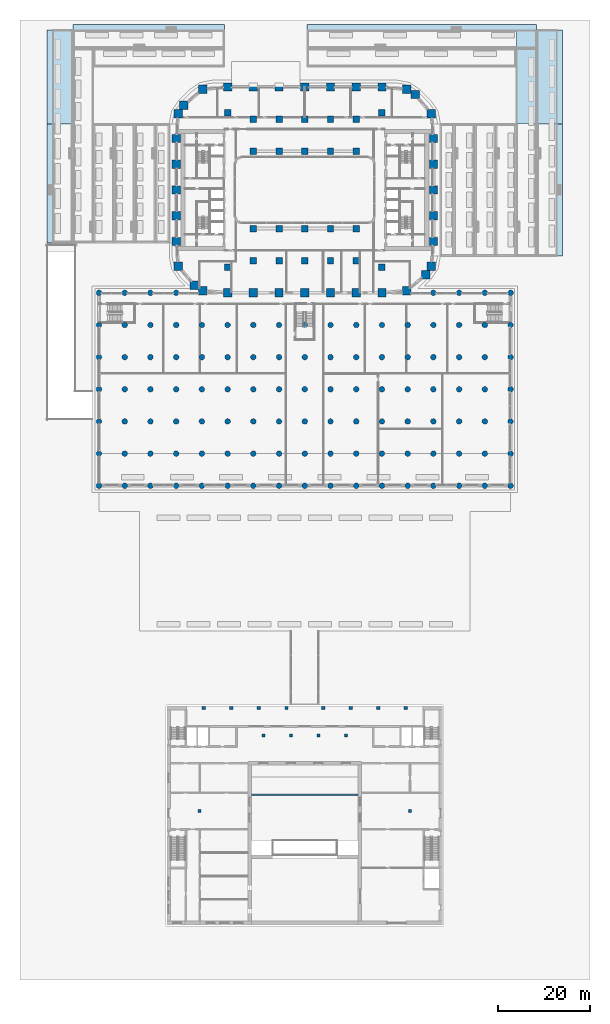
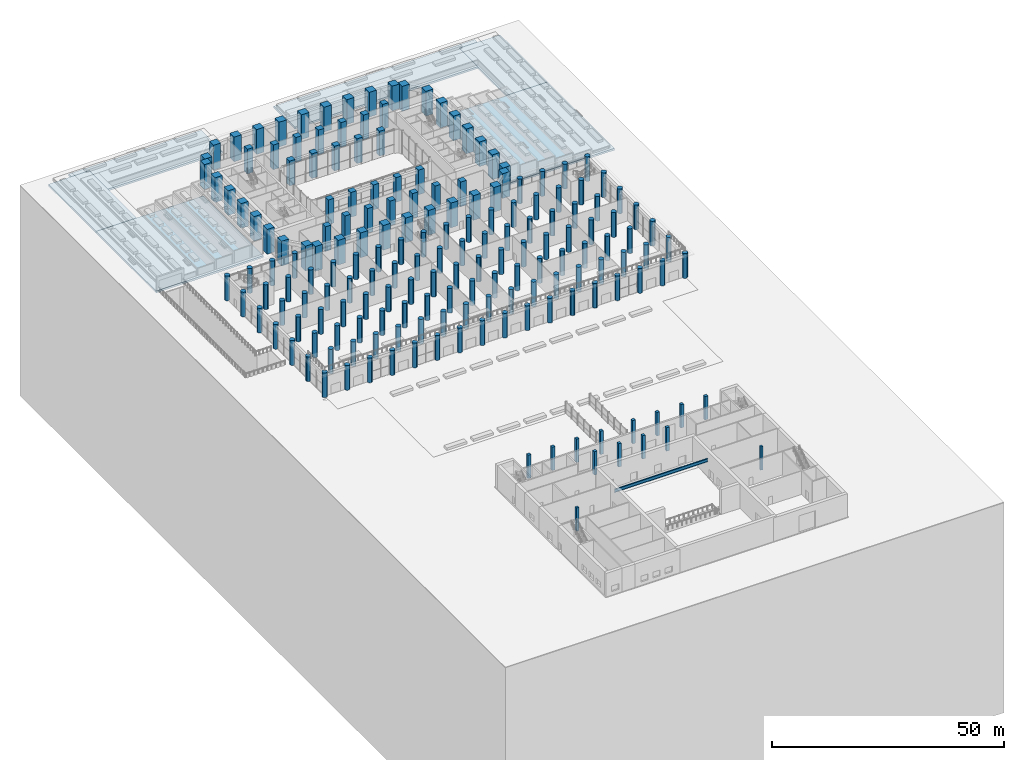
# One storey, part 1 of 51: 184 columns, 6 footings, 1 beam.
"""IFC4 building model written with IfcOpenShell, lengths in metres."""

from ifc_helpers import new_model, si_unit, direction, frame, origin, origin_2d, place, context, subcontext, project, spatial, rectangle, circle, i_section, extrude, material, material_profile, profile_set, type_object, element, save


model = new_model("IFC4")

# Units and contexts
model_context = context("Model", 3, precision=1e-05, world=origin(), true_north=direction((0.0, 1.0)))
body_context = subcontext(model_context, "Body", "Model", "MODEL_VIEW")
ifc_project = project(units=[si_unit("LENGTHUNIT", "METRE"), si_unit("AREAUNIT", "SQUARE_METRE"), si_unit("VOLUMEUNIT", "CUBIC_METRE"), si_unit("PLANEANGLEUNIT", "RADIAN"), si_unit("MASSUNIT", "GRAM", prefix="KILO")], contexts=[model_context])

# Site, building, storey
site_placement = place(None, origin())
site = spatial("IfcSite", under=ifc_project, at=site_placement, CompositionType="ELEMENT")
building_placement = place(site_placement, origin())
building = spatial("IfcBuilding", under=site, at=building_placement, Name="Kiln Ring Residences", CompositionType="ELEMENT")
storey_placement = place(building_placement, origin())
storey = spatial("IfcBuildingStorey", under=building, at=storey_placement, Name="L00", CompositionType="ELEMENT", Elevation=0.0)

# Footings
ifc_material_1 = material(Name="Concrete C30/37", Category="concrete")
footing_type = type_object("IfcFootingType", Name="TERRACE STRIP RAFT 500", PredefinedType="STRIP_FOOTING", material=ifc_material_1)
footing_1_placement = place(storey_placement, frame((42.794921875, 0.0, -1.0), z_axis=(0.0, 0.0, 1.0), x_axis=(1.0, 0.0, 0.0)))
element("IfcFooting", 1, at=footing_1_placement, inside=storey, type_object=footing_type, Name="Terrace raft E", PredefinedType="STRIP_FOOTING", context=body_context, shape_type="SweptSolid", body=[
    extrude(rectangle(XDim=26.68994140625, YDim=28.800048828125, at=origin_2d()), origin(), (0.0, 0.0, 1.0), 0.5),
])
footing_2_placement = place(storey_placement, frame((51.070068359375, 24.625, -1.0), z_axis=(0.0, 0.0, 1.0), x_axis=(1.0, 0.0, 0.0)))
element("IfcFooting", 2, at=footing_2_placement, inside=storey, type_object=footing_type, Name="Terrace raft E north leg", PredefinedType="STRIP_FOOTING", context=body_context, shape_type="SweptSolid", body=[
    extrude(rectangle(XDim=10.139892578125, YDim=20.449951171875, at=origin_2d()), origin(), (0.0, 0.0, 1.0), 0.5),
])
footing_3_placement = place(storey_placement, frame((-42.794921875, 1.449951171875, -1.0), z_axis=(0.0, 0.0, 1.0), x_axis=(1.0, 0.0, 0.0)))
element("IfcFooting", 3, at=footing_3_placement, inside=storey, type_object=footing_type, Name="Terrace raft W", PredefinedType="STRIP_FOOTING", context=body_context, shape_type="SweptSolid", body=[
    extrude(rectangle(XDim=26.68994140625, YDim=25.89990234375, at=origin_2d()), origin(), (0.0, 0.0, 1.0), 0.5),
])
footing_4_placement = place(storey_placement, frame((-51.070068359375, 24.625, -1.0), z_axis=(0.0, 0.0, 1.0), x_axis=(1.0, 0.0, 0.0)))
element("IfcFooting", 4, at=footing_4_placement, inside=storey, type_object=footing_type, Name="Terrace raft W north leg", PredefinedType="STRIP_FOOTING", context=body_context, shape_type="SweptSolid", body=[
    extrude(rectangle(XDim=10.139892578125, YDim=20.449951171875, at=origin_2d()), origin(), (0.0, 0.0, 1.0), 0.5),
])
footing_5_placement = place(storey_placement, frame((-34.0, 31.419921875, -1.0), z_axis=(0.0, 0.0, 1.0), x_axis=(1.0, 0.0, 0.0)))
element("IfcFooting", 5, at=footing_5_placement, inside=storey, type_object=footing_type, Name="Terrace raft N1", PredefinedType="STRIP_FOOTING", context=body_context, shape_type="SweptSolid", body=[
    extrude(rectangle(XDim=33.0, YDim=9.139892578125, at=origin_2d()), origin(), (0.0, 0.0, 1.0), 0.5),
])
footing_6_placement = place(storey_placement, frame((25.5, 31.419921875, -1.0), z_axis=(0.0, 0.0, 1.0), x_axis=(1.0, 0.0, 0.0)))
element("IfcFooting", 6, at=footing_6_placement, inside=storey, type_object=footing_type, Name="Terrace raft N2", PredefinedType="STRIP_FOOTING", context=body_context, shape_type="SweptSolid", body=[
    extrude(rectangle(XDim=50.0, YDim=9.139892578125, at=origin_2d()), origin(), (0.0, 0.0, 1.0), 0.5),
])

# Columns
ifc_material_2 = material(Name="Concrete C80/95", Category="concrete")
ifc_material_profile_1 = material_profile(ifc_material_2, rectangle(XDim=1.39990234375, YDim=1.39990234375, at=origin_2d()), Name="RC1400x1400")
ifc_profile_set_1 = profile_set([ifc_material_profile_1], Name="Concrete C80/95")
column_type_1 = type_object("IfcColumnType", Name="Corridor column RC1400x1400 C80/95", PredefinedType="COLUMN", material=ifc_profile_set_1)
for number, where, z_axis, x_axis, name in (
    (7, (-11.199951171875, 15.39990234375, 0.0), (0.0, 0.0, 1.0), (1.0, 0.0, 0.0), "Corridor column L00 1"),
    (8, (-5.60009765625, 15.39990234375, 0.0), (0.0, 0.0, 1.0), (1.0, 0.0, 0.0), "Corridor column L00 2"),
    (9, (0.0, 15.39990234375, 0.0), (0.0, 0.0, 1.0), (1.0, 0.0, 0.0), "Corridor column L00 3"),
    (10, (5.60009765625, 15.39990234375, 0.0), (0.0, 0.0, 1.0), (1.0, 0.0, 0.0), "Corridor column L00 4"),
    (11, (11.199951171875, 15.39990234375, 0.0), (0.0, 0.0, 1.0), (1.0, 0.0, 0.0), "Corridor column L00 5"),
    (12, (-11.199951171875, -15.39990234375, 0.0), (0.0, 0.0, 1.0), (1.0, 0.0, 0.0), "Corridor column L00 6"),
    (13, (-5.60009765625, -15.39990234375, 0.0), (0.0, 0.0, 1.0), (1.0, 0.0, 0.0), "Corridor column L00 7"),
    (14, (0.0, -15.39990234375, 0.0), (0.0, 0.0, 1.0), (1.0, 0.0, 0.0), "Corridor column L00 8"),
    (15, (5.60009765625, -15.39990234375, 0.0), (0.0, 0.0, 1.0), (1.0, 0.0, 0.0), "Corridor column L00 9"),
    (16, (11.199951171875, -15.39990234375, 0.0), (0.0, 0.0, 1.0), (1.0, 0.0, 0.0), "Corridor column L00 10"),
):
    element("IfcColumn", number, at=place(storey_placement, frame(where, z_axis=z_axis, x_axis=x_axis)), inside=storey, type_object=column_type_1, Name=name, PredefinedType="COLUMN", context=body_context, shape_type="SweptSolid", body=[
        extrude(rectangle(XDim=1.39990234375, YDim=1.39990234375, at=origin_2d()), origin(), (0.0, 0.0, 1.0), 6.5),
    ])
ifc_material_3 = material(Name="Concrete C40/50", Category="concrete")
ifc_material_profile_2 = material_profile(ifc_material_3, rectangle(XDim=0.60009765625, YDim=0.60009765625, at=origin_2d()), Name="Hall reinforced concrete column 600 x 600")
ifc_profile_set_2 = profile_set([ifc_material_profile_2], Name="Concrete C40/50")
column_type_2 = type_object("IfcColumnType", Name="Hall reinforced concrete column 600 x 600", PredefinedType="COLUMN", material=ifc_profile_set_2)
for number, where, z_axis, x_axis, name in (
    (17, (-22.89990234375, -135.199951171875, 0.0), (0.0, 0.0, 1.0), (1.0, 0.0, 0.0), "Hall column L00 5"),
    (18, (22.89990234375, -135.199951171875, 0.0), (0.0, 0.0, 1.0), (1.0, 0.0, 0.0), "Hall column L00 6"),
):
    element("IfcColumn", number, at=place(storey_placement, frame(where, z_axis=z_axis, x_axis=x_axis)), inside=storey, type_object=column_type_2, Name=name, PredefinedType="COLUMN", context=body_context, shape_type="SweptSolid", body=[
        extrude(rectangle(XDim=0.60009765625, YDim=0.60009765625, at=origin_2d()), origin(), (0.0, 0.0, 1.0), 6.14990234375),
    ])
ifc_material_4 = material(Name="Concrete C40/50", Category="concrete")
ifc_material_profile_3 = material_profile(ifc_material_4, rectangle(XDim=0.699951171875, YDim=0.699951171875, at=origin_2d()), Name="Hall reinforced concrete column 700 x 700")
ifc_profile_set_3 = profile_set([ifc_material_profile_3], Name="Concrete C40/50")
column_type_3 = type_object("IfcColumnType", Name="Hall reinforced concrete column 700 x 700", PredefinedType="COLUMN", material=ifc_profile_set_3)
for number, where, z_axis, x_axis, name in (
    (19, (-9.0, -118.800048828125, 0.0), (0.0, 0.0, 1.0), (1.0, 0.0, 0.0), "Hall column L00 1"),
    (20, (-3.0, -118.800048828125, 0.0), (0.0, 0.0, 1.0), (1.0, 0.0, 0.0), "Hall column L00 2"),
    (21, (3.0, -118.800048828125, 0.0), (0.0, 0.0, 1.0), (1.0, 0.0, 0.0), "Hall column L00 3"),
    (22, (9.0, -118.800048828125, 0.0), (0.0, 0.0, 1.0), (1.0, 0.0, 0.0), "Hall column L00 4"),
    (23, (-22.0, -112.800048828125, 0.0), (0.0, 0.0, 1.0), (1.0, 0.0, 0.0), "Hall arcade column 1"),
    (24, (-16.0, -112.800048828125, 0.0), (0.0, 0.0, 1.0), (1.0, 0.0, 0.0), "Hall arcade column 2"),
    (25, (-10.0, -112.800048828125, 0.0), (0.0, 0.0, 1.0), (1.0, 0.0, 0.0), "Hall arcade column 3"),
    (26, (-4.0, -112.800048828125, 0.0), (0.0, 0.0, 1.0), (1.0, 0.0, 0.0), "Hall arcade column 4"),
    (27, (4.0, -112.800048828125, 0.0), (0.0, 0.0, 1.0), (1.0, 0.0, 0.0), "Hall arcade column 5"),
    (28, (10.0, -112.800048828125, 0.0), (0.0, 0.0, 1.0), (1.0, 0.0, 0.0), "Hall arcade column 6"),
    (29, (16.0, -112.800048828125, 0.0), (0.0, 0.0, 1.0), (1.0, 0.0, 0.0), "Hall arcade column 7"),
    (30, (22.0, -112.800048828125, 0.0), (0.0, 0.0, 1.0), (1.0, 0.0, 0.0), "Hall arcade column 8"),
):
    element("IfcColumn", number, at=place(storey_placement, frame(where, z_axis=z_axis, x_axis=x_axis)), inside=storey, type_object=column_type_3, Name=name, PredefinedType="COLUMN", context=body_context, shape_type="SweptSolid", body=[
        extrude(rectangle(XDim=0.699951171875, YDim=0.699951171875, at=origin_2d()), origin(), (0.0, 0.0, 1.0), 6.14990234375),
    ])
ifc_material_5 = material(Name="Concrete C80/95", Category="concrete")
ifc_material_profile_4 = material_profile(ifc_material_5, rectangle(XDim=1.800048828125, YDim=1.800048828125, at=origin_2d()), Name="RC1800x1800")
ifc_profile_set_4 = profile_set([ifc_material_profile_4], Name="Concrete C80/95")
column_type_4 = type_object("IfcColumnType", Name="Perimeter column RC1800x1800 C80/95", PredefinedType="COLUMN", material=ifc_profile_set_4)
for number, where, z_axis, x_axis, name in (
    (31, (-22.208740234375, -21.93798828125, 0.0), (0.0, 0.0, 1.0), (1.0, 0.0, 0.0), "Perimeter column L00 1"),
    (32, (-16.800048828125, -22.39990234375, 0.0), (0.0, 0.0, 1.0), (1.0, 0.0, 0.0), "Perimeter column L00 2"),
    (33, (-11.199951171875, -22.39990234375, 0.0), (0.0, 0.0, 1.0), (1.0, 0.0, 0.0), "Perimeter column L00 3"),
    (34, (-5.60009765625, -22.39990234375, 0.0), (0.0, 0.0, 1.0), (1.0, 0.0, 0.0), "Perimeter column L00 4"),
    (35, (0.0, -22.39990234375, 0.0), (0.0, 0.0, 1.0), (1.0, 0.0, 0.0), "Perimeter column L00 5"),
    (36, (5.60009765625, -22.39990234375, 0.0), (0.0, 0.0, 1.0), (1.0, 0.0, 0.0), "Perimeter column L00 6"),
    (37, (11.199951171875, -22.39990234375, 0.0), (0.0, 0.0, 1.0), (1.0, 0.0, 0.0), "Perimeter column L00 7"),
    (38, (16.800048828125, -22.39990234375, 0.0), (0.0, 0.0, 1.0), (1.0, 0.0, 0.0), "Perimeter column L00 8"),
    (39, (22.208740234375, -21.93798828125, 0.0), (0.0, 0.0, 1.0), (1.0, 0.0, 0.0), "Perimeter column L00 9"),
    (40, (26.35986328125, -18.440185546875, 0.0), (0.0, 0.0, 1.0), (1.0, 0.0, 0.0), "Perimeter column L00 10"),
    (41, (27.5380859375, -16.608642578125, 0.0), (0.0, 0.0, 1.0), (1.0, 0.0, 0.0), "Perimeter column L00 11"),
    (42, (28.0, -11.199951171875, 0.0), (0.0, 0.0, 1.0), (1.0, 0.0, 0.0), "Perimeter column L00 12"),
    (43, (28.0, -5.60009765625, 0.0), (0.0, 0.0, 1.0), (1.0, 0.0, 0.0), "Perimeter column L00 13"),
    (44, (28.0, 0.0, 0.0), (0.0, 0.0, 1.0), (1.0, 0.0, 0.0), "Perimeter column L00 14"),
    (45, (28.0, 5.60009765625, 0.0), (0.0, 0.0, 1.0), (1.0, 0.0, 0.0), "Perimeter column L00 15"),
    (46, (28.0, 11.199951171875, 0.0), (0.0, 0.0, 1.0), (1.0, 0.0, 0.0), "Perimeter column L00 16"),
    (47, (27.5380859375, 16.608642578125, 0.0), (0.0, 0.0, 1.0), (1.0, 0.0, 0.0), "Perimeter column L00 17"),
    (48, (24.040283203125, 20.759765625, 0.0), (0.0, 0.0, 1.0), (1.0, 0.0, 0.0), "Perimeter column L00 18"),
    (49, (22.208740234375, 21.93798828125, 0.0), (0.0, 0.0, 1.0), (1.0, 0.0, 0.0), "Perimeter column L00 19"),
    (50, (16.800048828125, 22.39990234375, 0.0), (0.0, 0.0, 1.0), (1.0, 0.0, 0.0), "Perimeter column L00 20"),
    (51, (11.199951171875, 22.39990234375, 0.0), (0.0, 0.0, 1.0), (1.0, 0.0, 0.0), "Perimeter column L00 21"),
    (52, (5.60009765625, 22.39990234375, 0.0), (0.0, 0.0, 1.0), (1.0, 0.0, 0.0), "Perimeter column L00 22"),
    (53, (0.0, 22.39990234375, 0.0), (0.0, 0.0, 1.0), (1.0, 0.0, 0.0), "Perimeter column L00 23"),
    (54, (-5.60009765625, 22.39990234375, 0.0), (0.0, 0.0, 1.0), (1.0, 0.0, 0.0), "Perimeter column L00 24"),
    (55, (-11.199951171875, 22.39990234375, 0.0), (0.0, 0.0, 1.0), (1.0, 0.0, 0.0), "Perimeter column L00 25"),
    (56, (-16.800048828125, 22.39990234375, 0.0), (0.0, 0.0, 1.0), (1.0, 0.0, 0.0), "Perimeter column L00 26"),
    (57, (-22.208740234375, 21.93798828125, 0.0), (0.0, 0.0, 1.0), (1.0, 0.0, 0.0), "Perimeter column L00 27"),
    (58, (-26.35986328125, 18.440185546875, 0.0), (0.0, 0.0, 1.0), (1.0, 0.0, 0.0), "Perimeter column L00 28"),
    (59, (-27.5380859375, 16.608642578125, 0.0), (0.0, 0.0, 1.0), (1.0, 0.0, 0.0), "Perimeter column L00 29"),
    (60, (-28.0, 11.199951171875, 0.0), (0.0, 0.0, 1.0), (1.0, 0.0, 0.0), "Perimeter column L00 30"),
    (61, (-28.0, 5.60009765625, 0.0), (0.0, 0.0, 1.0), (1.0, 0.0, 0.0), "Perimeter column L00 31"),
    (62, (-28.0, 0.0, 0.0), (0.0, 0.0, 1.0), (1.0, 0.0, 0.0), "Perimeter column L00 32"),
    (63, (-28.0, -5.60009765625, 0.0), (0.0, 0.0, 1.0), (1.0, 0.0, 0.0), "Perimeter column L00 33"),
    (64, (-28.0, -11.199951171875, 0.0), (0.0, 0.0, 1.0), (1.0, 0.0, 0.0), "Perimeter column L00 34"),
    (65, (-27.5380859375, -16.608642578125, 0.0), (0.0, 0.0, 1.0), (1.0, 0.0, 0.0), "Perimeter column L00 35"),
    (66, (-24.040283203125, -20.759765625, 0.0), (0.0, 0.0, 1.0), (1.0, 0.0, 0.0), "Perimeter column L00 36"),
):
    element("IfcColumn", number, at=place(storey_placement, frame(where, z_axis=z_axis, x_axis=x_axis)), inside=storey, type_object=column_type_4, Name=name, PredefinedType="COLUMN", context=body_context, shape_type="SweptSolid", body=[
        extrude(rectangle(XDim=1.800048828125, YDim=1.800048828125, at=origin_2d()), origin(), (0.0, 0.0, 1.0), 6.5),
    ])
ifc_material_6 = material(Name="Concrete C80/95", Category="concrete")
ifc_material_profile_5 = material_profile(ifc_material_6, circle(Radius=0.60009765625, at=origin_2d()), Name="RCD1200")
ifc_profile_set_5 = profile_set([ifc_material_profile_5], Name="Concrete C80/95")
column_type_5 = type_object("IfcColumnType", Name="Podium column RCD1200 C80/95", PredefinedType="COLUMN", material=ifc_profile_set_5)
for number, where, z_axis, x_axis, name in (
    (67, (-44.800048828125, -29.39990234375, 0.0), (0.0, 0.0, 1.0), (1.0, 0.0, 0.0), "Podium column L00 1"),
    (68, (-39.199951171875, -29.39990234375, 0.0), (0.0, 0.0, 1.0), (1.0, 0.0, 0.0), "Podium column L00 2"),
    (69, (-33.60009765625, -29.39990234375, 0.0), (0.0, 0.0, 1.0), (1.0, 0.0, 0.0), "Podium column L00 3"),
    (70, (-28.0, -29.39990234375, 0.0), (0.0, 0.0, 1.0), (1.0, 0.0, 0.0), "Podium column L00 4"),
    (71, (-22.39990234375, -29.39990234375, 0.0), (0.0, 0.0, 1.0), (1.0, 0.0, 0.0), "Podium column L00 5"),
    (72, (-16.800048828125, -29.39990234375, 0.0), (0.0, 0.0, 1.0), (1.0, 0.0, 0.0), "Podium column L00 6"),
    (73, (-11.199951171875, -29.39990234375, 0.0), (0.0, 0.0, 1.0), (1.0, 0.0, 0.0), "Podium column L00 7"),
    (74, (-5.60009765625, -29.39990234375, 0.0), (0.0, 0.0, 1.0), (1.0, 0.0, 0.0), "Podium column L00 8"),
    (75, (0.0, -29.39990234375, 0.0), (0.0, 0.0, 1.0), (1.0, 0.0, 0.0), "Podium column L00 9"),
    (76, (5.60009765625, -29.39990234375, 0.0), (0.0, 0.0, 1.0), (1.0, 0.0, 0.0), "Podium column L00 10"),
    (77, (11.199951171875, -29.39990234375, 0.0), (0.0, 0.0, 1.0), (1.0, 0.0, 0.0), "Podium column L00 11"),
    (78, (16.800048828125, -29.39990234375, 0.0), (0.0, 0.0, 1.0), (1.0, 0.0, 0.0), "Podium column L00 12"),
    (79, (22.39990234375, -29.39990234375, 0.0), (0.0, 0.0, 1.0), (1.0, 0.0, 0.0), "Podium column L00 13"),
    (80, (28.0, -29.39990234375, 0.0), (0.0, 0.0, 1.0), (1.0, 0.0, 0.0), "Podium column L00 14"),
    (81, (33.60009765625, -29.39990234375, 0.0), (0.0, 0.0, 1.0), (1.0, 0.0, 0.0), "Podium column L00 15"),
    (82, (39.199951171875, -29.39990234375, 0.0), (0.0, 0.0, 1.0), (1.0, 0.0, 0.0), "Podium column L00 16"),
    (83, (44.800048828125, -29.39990234375, 0.0), (0.0, 0.0, 1.0), (1.0, 0.0, 0.0), "Podium column L00 17"),
    (84, (-44.800048828125, -36.39990234375, 0.0), (0.0, 0.0, 1.0), (1.0, 0.0, 0.0), "Podium column L00 18"),
    (85, (-39.199951171875, -36.39990234375, 0.0), (0.0, 0.0, 1.0), (1.0, 0.0, 0.0), "Podium column L00 19"),
    (86, (-33.60009765625, -36.39990234375, 0.0), (0.0, 0.0, 1.0), (1.0, 0.0, 0.0), "Podium column L00 20"),
    (87, (-28.0, -36.39990234375, 0.0), (0.0, 0.0, 1.0), (1.0, 0.0, 0.0), "Podium column L00 21"),
    (88, (-22.39990234375, -36.39990234375, 0.0), (0.0, 0.0, 1.0), (1.0, 0.0, 0.0), "Podium column L00 22"),
    (89, (-16.800048828125, -36.39990234375, 0.0), (0.0, 0.0, 1.0), (1.0, 0.0, 0.0), "Podium column L00 23"),
    (90, (-11.199951171875, -36.39990234375, 0.0), (0.0, 0.0, 1.0), (1.0, 0.0, 0.0), "Podium column L00 24"),
    (91, (-5.60009765625, -36.39990234375, 0.0), (0.0, 0.0, 1.0), (1.0, 0.0, 0.0), "Podium column L00 25"),
    (92, (0.0, -36.39990234375, 0.0), (0.0, 0.0, 1.0), (1.0, 0.0, 0.0), "Podium column L00 26"),
    (93, (5.60009765625, -36.39990234375, 0.0), (0.0, 0.0, 1.0), (1.0, 0.0, 0.0), "Podium column L00 27"),
    (94, (11.199951171875, -36.39990234375, 0.0), (0.0, 0.0, 1.0), (1.0, 0.0, 0.0), "Podium column L00 28"),
    (95, (16.800048828125, -36.39990234375, 0.0), (0.0, 0.0, 1.0), (1.0, 0.0, 0.0), "Podium column L00 29"),
    (96, (22.39990234375, -36.39990234375, 0.0), (0.0, 0.0, 1.0), (1.0, 0.0, 0.0), "Podium column L00 30"),
    (97, (28.0, -36.39990234375, 0.0), (0.0, 0.0, 1.0), (1.0, 0.0, 0.0), "Podium column L00 31"),
    (98, (33.60009765625, -36.39990234375, 0.0), (0.0, 0.0, 1.0), (1.0, 0.0, 0.0), "Podium column L00 32"),
    (99, (39.199951171875, -36.39990234375, 0.0), (0.0, 0.0, 1.0), (1.0, 0.0, 0.0), "Podium column L00 33"),
    (100, (44.800048828125, -36.39990234375, 0.0), (0.0, 0.0, 1.0), (1.0, 0.0, 0.0), "Podium column L00 34"),
    (101, (-44.800048828125, -43.39990234375, 0.0), (0.0, 0.0, 1.0), (1.0, 0.0, 0.0), "Podium column L00 35"),
    (102, (-39.199951171875, -43.39990234375, 0.0), (0.0, 0.0, 1.0), (1.0, 0.0, 0.0), "Podium column L00 36"),
    (103, (-33.60009765625, -43.39990234375, 0.0), (0.0, 0.0, 1.0), (1.0, 0.0, 0.0), "Podium column L00 37"),
    (104, (-28.0, -43.39990234375, 0.0), (0.0, 0.0, 1.0), (1.0, 0.0, 0.0), "Podium column L00 38"),
    (105, (-22.39990234375, -43.39990234375, 0.0), (0.0, 0.0, 1.0), (1.0, 0.0, 0.0), "Podium column L00 39"),
    (106, (-16.800048828125, -43.39990234375, 0.0), (0.0, 0.0, 1.0), (1.0, 0.0, 0.0), "Podium column L00 40"),
    (107, (-11.199951171875, -43.39990234375, 0.0), (0.0, 0.0, 1.0), (1.0, 0.0, 0.0), "Podium column L00 41"),
    (108, (-5.60009765625, -43.39990234375, 0.0), (0.0, 0.0, 1.0), (1.0, 0.0, 0.0), "Podium column L00 42"),
    (109, (0.0, -43.39990234375, 0.0), (0.0, 0.0, 1.0), (1.0, 0.0, 0.0), "Podium column L00 43"),
    (110, (5.60009765625, -43.39990234375, 0.0), (0.0, 0.0, 1.0), (1.0, 0.0, 0.0), "Podium column L00 44"),
    (111, (11.199951171875, -43.39990234375, 0.0), (0.0, 0.0, 1.0), (1.0, 0.0, 0.0), "Podium column L00 45"),
    (112, (16.800048828125, -43.39990234375, 0.0), (0.0, 0.0, 1.0), (1.0, 0.0, 0.0), "Podium column L00 46"),
    (113, (22.39990234375, -43.39990234375, 0.0), (0.0, 0.0, 1.0), (1.0, 0.0, 0.0), "Podium column L00 47"),
    (114, (28.0, -43.39990234375, 0.0), (0.0, 0.0, 1.0), (1.0, 0.0, 0.0), "Podium column L00 48"),
    (115, (33.60009765625, -43.39990234375, 0.0), (0.0, 0.0, 1.0), (1.0, 0.0, 0.0), "Podium column L00 49"),
    (116, (39.199951171875, -43.39990234375, 0.0), (0.0, 0.0, 1.0), (1.0, 0.0, 0.0), "Podium column L00 50"),
    (117, (44.800048828125, -43.39990234375, 0.0), (0.0, 0.0, 1.0), (1.0, 0.0, 0.0), "Podium column L00 51"),
    (118, (-44.800048828125, -50.39990234375, 0.0), (0.0, 0.0, 1.0), (1.0, 0.0, 0.0), "Podium column L00 52"),
    (119, (-39.199951171875, -50.39990234375, 0.0), (0.0, 0.0, 1.0), (1.0, 0.0, 0.0), "Podium column L00 53"),
    (120, (-33.60009765625, -50.39990234375, 0.0), (0.0, 0.0, 1.0), (1.0, 0.0, 0.0), "Podium column L00 54"),
    (121, (-28.0, -50.39990234375, 0.0), (0.0, 0.0, 1.0), (1.0, 0.0, 0.0), "Podium column L00 55"),
    (122, (-22.39990234375, -50.39990234375, 0.0), (0.0, 0.0, 1.0), (1.0, 0.0, 0.0), "Podium column L00 56"),
    (123, (-16.800048828125, -50.39990234375, 0.0), (0.0, 0.0, 1.0), (1.0, 0.0, 0.0), "Podium column L00 57"),
    (124, (-11.199951171875, -50.39990234375, 0.0), (0.0, 0.0, 1.0), (1.0, 0.0, 0.0), "Podium column L00 58"),
    (125, (-5.60009765625, -50.39990234375, 0.0), (0.0, 0.0, 1.0), (1.0, 0.0, 0.0), "Podium column L00 59"),
    (126, (0.0, -50.39990234375, 0.0), (0.0, 0.0, 1.0), (1.0, 0.0, 0.0), "Podium column L00 60"),
    (127, (5.60009765625, -50.39990234375, 0.0), (0.0, 0.0, 1.0), (1.0, 0.0, 0.0), "Podium column L00 61"),
    (128, (11.199951171875, -50.39990234375, 0.0), (0.0, 0.0, 1.0), (1.0, 0.0, 0.0), "Podium column L00 62"),
    (129, (16.800048828125, -50.39990234375, 0.0), (0.0, 0.0, 1.0), (1.0, 0.0, 0.0), "Podium column L00 63"),
    (130, (22.39990234375, -50.39990234375, 0.0), (0.0, 0.0, 1.0), (1.0, 0.0, 0.0), "Podium column L00 64"),
    (131, (28.0, -50.39990234375, 0.0), (0.0, 0.0, 1.0), (1.0, 0.0, 0.0), "Podium column L00 65"),
    (132, (33.60009765625, -50.39990234375, 0.0), (0.0, 0.0, 1.0), (1.0, 0.0, 0.0), "Podium column L00 66"),
    (133, (39.199951171875, -50.39990234375, 0.0), (0.0, 0.0, 1.0), (1.0, 0.0, 0.0), "Podium column L00 67"),
    (134, (44.800048828125, -50.39990234375, 0.0), (0.0, 0.0, 1.0), (1.0, 0.0, 0.0), "Podium column L00 68"),
    (135, (-44.800048828125, -57.39990234375, 0.0), (0.0, 0.0, 1.0), (1.0, 0.0, 0.0), "Podium column L00 69"),
    (136, (-39.199951171875, -57.39990234375, 0.0), (0.0, 0.0, 1.0), (1.0, 0.0, 0.0), "Podium column L00 70"),
    (137, (-33.60009765625, -57.39990234375, 0.0), (0.0, 0.0, 1.0), (1.0, 0.0, 0.0), "Podium column L00 71"),
    (138, (-28.0, -57.39990234375, 0.0), (0.0, 0.0, 1.0), (1.0, 0.0, 0.0), "Podium column L00 72"),
    (139, (-22.39990234375, -57.39990234375, 0.0), (0.0, 0.0, 1.0), (1.0, 0.0, 0.0), "Podium column L00 73"),
    (140, (-16.800048828125, -57.39990234375, 0.0), (0.0, 0.0, 1.0), (1.0, 0.0, 0.0), "Podium column L00 74"),
    (141, (-11.199951171875, -57.39990234375, 0.0), (0.0, 0.0, 1.0), (1.0, 0.0, 0.0), "Podium column L00 75"),
    (142, (-5.60009765625, -57.39990234375, 0.0), (0.0, 0.0, 1.0), (1.0, 0.0, 0.0), "Podium column L00 76"),
    (143, (0.0, -57.39990234375, 0.0), (0.0, 0.0, 1.0), (1.0, 0.0, 0.0), "Podium column L00 77"),
    (144, (5.60009765625, -57.39990234375, 0.0), (0.0, 0.0, 1.0), (1.0, 0.0, 0.0), "Podium column L00 78"),
    (145, (11.199951171875, -57.39990234375, 0.0), (0.0, 0.0, 1.0), (1.0, 0.0, 0.0), "Podium column L00 79"),
    (146, (16.800048828125, -57.39990234375, 0.0), (0.0, 0.0, 1.0), (1.0, 0.0, 0.0), "Podium column L00 80"),
    (147, (22.39990234375, -57.39990234375, 0.0), (0.0, 0.0, 1.0), (1.0, 0.0, 0.0), "Podium column L00 81"),
    (148, (28.0, -57.39990234375, 0.0), (0.0, 0.0, 1.0), (1.0, 0.0, 0.0), "Podium column L00 82"),
    (149, (33.60009765625, -57.39990234375, 0.0), (0.0, 0.0, 1.0), (1.0, 0.0, 0.0), "Podium column L00 83"),
    (150, (39.199951171875, -57.39990234375, 0.0), (0.0, 0.0, 1.0), (1.0, 0.0, 0.0), "Podium column L00 84"),
    (151, (44.800048828125, -57.39990234375, 0.0), (0.0, 0.0, 1.0), (1.0, 0.0, 0.0), "Podium column L00 85"),
    (152, (-44.800048828125, -64.39990234375, 0.0), (0.0, 0.0, 1.0), (1.0, 0.0, 0.0), "Podium column L00 86"),
    (153, (-39.199951171875, -64.39990234375, 0.0), (0.0, 0.0, 1.0), (1.0, 0.0, 0.0), "Podium column L00 87"),
    (154, (-33.60009765625, -64.39990234375, 0.0), (0.0, 0.0, 1.0), (1.0, 0.0, 0.0), "Podium column L00 88"),
    (155, (-28.0, -64.39990234375, 0.0), (0.0, 0.0, 1.0), (1.0, 0.0, 0.0), "Podium column L00 89"),
    (156, (-22.39990234375, -64.39990234375, 0.0), (0.0, 0.0, 1.0), (1.0, 0.0, 0.0), "Podium column L00 90"),
    (157, (-16.800048828125, -64.39990234375, 0.0), (0.0, 0.0, 1.0), (1.0, 0.0, 0.0), "Podium column L00 91"),
    (158, (-11.199951171875, -64.39990234375, 0.0), (0.0, 0.0, 1.0), (1.0, 0.0, 0.0), "Podium column L00 92"),
    (159, (-5.60009765625, -64.39990234375, 0.0), (0.0, 0.0, 1.0), (1.0, 0.0, 0.0), "Podium column L00 93"),
    (160, (0.0, -64.39990234375, 0.0), (0.0, 0.0, 1.0), (1.0, 0.0, 0.0), "Podium column L00 94"),
    (161, (5.60009765625, -64.39990234375, 0.0), (0.0, 0.0, 1.0), (1.0, 0.0, 0.0), "Podium column L00 95"),
    (162, (11.199951171875, -64.39990234375, 0.0), (0.0, 0.0, 1.0), (1.0, 0.0, 0.0), "Podium column L00 96"),
    (163, (16.800048828125, -64.39990234375, 0.0), (0.0, 0.0, 1.0), (1.0, 0.0, 0.0), "Podium column L00 97"),
    (164, (22.39990234375, -64.39990234375, 0.0), (0.0, 0.0, 1.0), (1.0, 0.0, 0.0), "Podium column L00 98"),
    (165, (28.0, -64.39990234375, 0.0), (0.0, 0.0, 1.0), (1.0, 0.0, 0.0), "Podium column L00 99"),
    (166, (33.60009765625, -64.39990234375, 0.0), (0.0, 0.0, 1.0), (1.0, 0.0, 0.0), "Podium column L00 100"),
    (167, (39.199951171875, -64.39990234375, 0.0), (0.0, 0.0, 1.0), (1.0, 0.0, 0.0), "Podium column L00 101"),
    (168, (44.800048828125, -64.39990234375, 0.0), (0.0, 0.0, 1.0), (1.0, 0.0, 0.0), "Podium column L00 102"),
    (169, (-44.800048828125, -22.39990234375, 0.0), (0.0, 0.0, 1.0), (1.0, 0.0, 0.0), "Podium column L00 103"),
    (170, (-39.199951171875, -22.39990234375, 0.0), (0.0, 0.0, 1.0), (1.0, 0.0, 0.0), "Podium column L00 104"),
    (171, (-33.60009765625, -22.39990234375, 0.0), (0.0, 0.0, 1.0), (1.0, 0.0, 0.0), "Podium column L00 105"),
    (172, (-28.0, -22.39990234375, 0.0), (0.0, 0.0, 1.0), (1.0, 0.0, 0.0), "Podium column L00 106"),
    (173, (28.0, -22.39990234375, 0.0), (0.0, 0.0, 1.0), (1.0, 0.0, 0.0), "Podium column L00 107"),
    (174, (33.60009765625, -22.39990234375, 0.0), (0.0, 0.0, 1.0), (1.0, 0.0, 0.0), "Podium column L00 108"),
    (175, (39.199951171875, -22.39990234375, 0.0), (0.0, 0.0, 1.0), (1.0, 0.0, 0.0), "Podium column L00 109"),
    (176, (44.800048828125, -22.39990234375, 0.0), (0.0, 0.0, 1.0), (1.0, 0.0, 0.0), "Podium column L00 110"),
):
    element("IfcColumn", number, at=place(storey_placement, frame(where, z_axis=z_axis, x_axis=x_axis)), inside=storey, type_object=column_type_5, Name=name, PredefinedType="COLUMN", context=body_context, shape_type="SweptSolid", body=[
        extrude(circle(Radius=0.60009765625, at=origin_2d()), origin(), (0.0, 0.0, 1.0), 6.5),
    ])
ifc_material_7 = material(Name="Concrete C80/95", Category="concrete")
ifc_material_profile_6 = material_profile(ifc_material_7, rectangle(XDim=1.39990234375, YDim=1.39990234375, at=origin_2d()), Name="RC1400x1400")
ifc_profile_set_6 = profile_set([ifc_material_profile_6], Name="Concrete C80/95")
column_type_6 = type_object("IfcColumnType", Name="Ring column RC1400x1400 C80/95", PredefinedType="COLUMN", material=ifc_profile_set_6)
for number, where, z_axis, x_axis, name in (
    (177, (-16.800048828125, -16.800048828125, 0.0), (0.0, 0.0, 1.0), (1.0, 0.0, 0.0), "Ring column L00 1"),
    (178, (-16.800048828125, 16.800048828125, 0.0), (0.0, 0.0, 1.0), (1.0, 0.0, 0.0), "Ring column L00 2"),
    (179, (-11.199951171875, -8.39990234375, 0.0), (0.0, 0.0, 1.0), (1.0, 0.0, 0.0), "Ring column L00 3"),
    (180, (-11.199951171875, 8.39990234375, 0.0), (0.0, 0.0, 1.0), (1.0, 0.0, 0.0), "Ring column L00 4"),
    (181, (-5.60009765625, -8.39990234375, 0.0), (0.0, 0.0, 1.0), (1.0, 0.0, 0.0), "Ring column L00 5"),
    (182, (-5.60009765625, 8.39990234375, 0.0), (0.0, 0.0, 1.0), (1.0, 0.0, 0.0), "Ring column L00 6"),
    (183, (0.0, -8.39990234375, 0.0), (0.0, 0.0, 1.0), (1.0, 0.0, 0.0), "Ring column L00 7"),
    (184, (0.0, 8.39990234375, 0.0), (0.0, 0.0, 1.0), (1.0, 0.0, 0.0), "Ring column L00 8"),
    (185, (5.60009765625, -8.39990234375, 0.0), (0.0, 0.0, 1.0), (1.0, 0.0, 0.0), "Ring column L00 9"),
    (186, (5.60009765625, 8.39990234375, 0.0), (0.0, 0.0, 1.0), (1.0, 0.0, 0.0), "Ring column L00 10"),
    (187, (11.199951171875, -8.39990234375, 0.0), (0.0, 0.0, 1.0), (1.0, 0.0, 0.0), "Ring column L00 11"),
    (188, (11.199951171875, 8.39990234375, 0.0), (0.0, 0.0, 1.0), (1.0, 0.0, 0.0), "Ring column L00 12"),
    (189, (16.800048828125, -16.800048828125, 0.0), (0.0, 0.0, 1.0), (1.0, 0.0, 0.0), "Ring column L00 13"),
    (190, (16.800048828125, 16.800048828125, 0.0), (0.0, 0.0, 1.0), (1.0, 0.0, 0.0), "Ring column L00 14"),
):
    element("IfcColumn", number, at=place(storey_placement, frame(where, z_axis=z_axis, x_axis=x_axis)), inside=storey, type_object=column_type_6, Name=name, PredefinedType="COLUMN", context=body_context, shape_type="SweptSolid", body=[
        extrude(rectangle(XDim=1.39990234375, YDim=1.39990234375, at=origin_2d()), origin(), (0.0, 0.0, 1.0), 6.5),
    ])

# Beam
ifc_material_8 = material(Name="Structural steel ASTM A992", Category="steel")
ifc_material_profile_7 = material_profile(ifc_material_8, i_section(OverallWidth=0.2919921875, OverallDepth=0.8349609375, WebThickness=0.013916015625, FlangeThickness=0.018798828125, at=origin_2d()), Name="W840x176")
ifc_profile_set_7 = profile_set([ifc_material_profile_7], Name="Structural steel ASTM A992")
beam_type = type_object("IfcBeamType", Name="Hall circle front girder W840x176", PredefinedType="BEAM", material=ifc_profile_set_7)
beam_placement = place(storey_placement, frame((-11.60009765625, -131.654052734375, 4.282470703125), z_axis=(1.0, 0.0, 0.0), x_axis=(0.0, 1.0, 0.0)))
element("IfcBeam", 191, at=beam_placement, inside=storey, type_object=beam_type, Name="Hall circle girder L01", PredefinedType="BEAM", context=body_context, shape_type="SweptSolid", body=[
    extrude(i_section(OverallWidth=0.2919921875, OverallDepth=0.8349609375, WebThickness=0.013916015625, FlangeThickness=0.018798828125, at=origin_2d()), origin(), (0.0, 0.0, 1.0), 23.2001953125),
])

save(model, "model.ifc")
